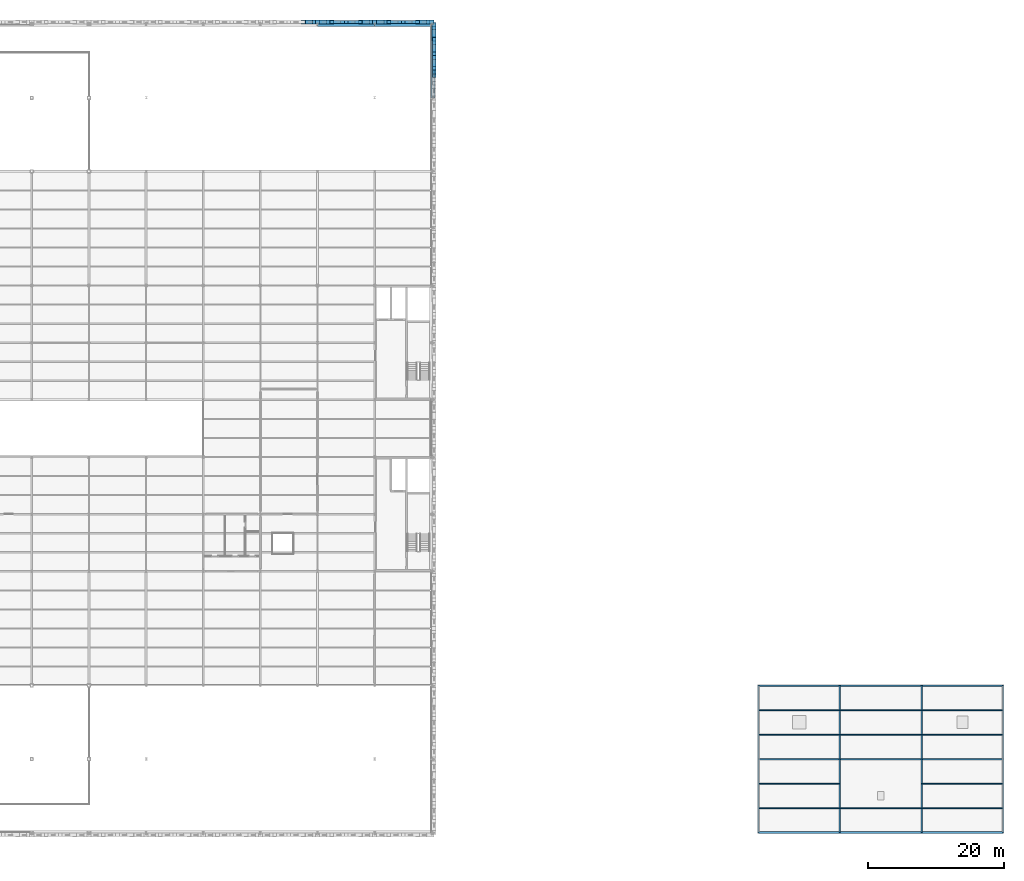
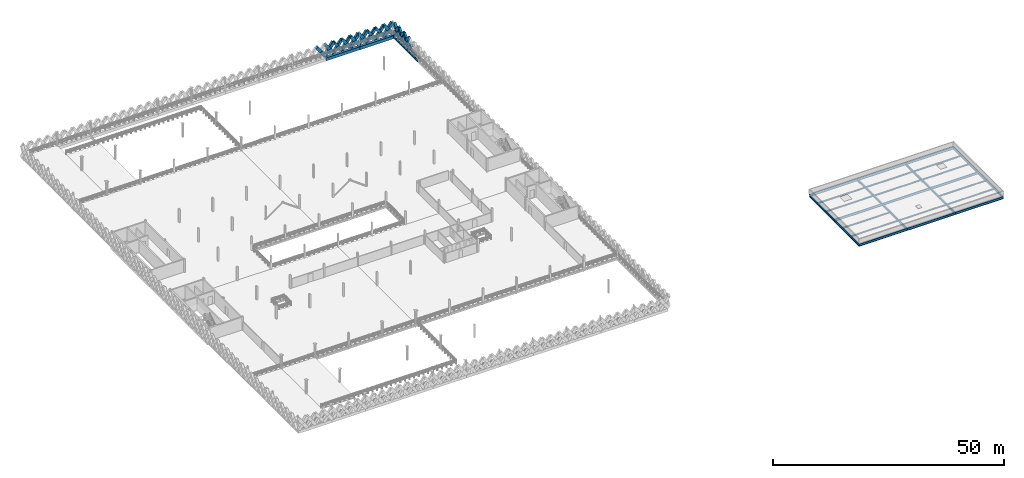
# One storey, part 27 of 47: 37 members, 31 beams.
"""IFC4 building model written with IfcOpenShell, lengths in metres."""

from ifc_helpers import new_model, si_unit, direction, frame, origin, origin_2d, place, context, subcontext, project, spatial, rectangle, hollow_rectangle, i_section, extrude, material, material_profile, profile_set, type_object, element, save


model = new_model("IFC4")

# Units and contexts
model_context = context("Model", 3, precision=1e-05, world=origin(), true_north=direction((0.0, 1.0)))
body_context = subcontext(model_context, "Body", "Model", "MODEL_VIEW")
ifc_project = project(units=[si_unit("LENGTHUNIT", "METRE"), si_unit("AREAUNIT", "SQUARE_METRE"), si_unit("VOLUMEUNIT", "CUBIC_METRE"), si_unit("PLANEANGLEUNIT", "RADIAN"), si_unit("MASSUNIT", "GRAM", prefix="KILO"), si_unit("THERMODYNAMICTEMPERATUREUNIT", "KELVIN"), si_unit("POWERUNIT", "WATT")], contexts=[model_context])

# Site, building, storey
site_placement = place(None, origin())
site = spatial("IfcSite", under=ifc_project, at=site_placement, CompositionType="ELEMENT")
building_placement = place(site_placement, origin())
building = spatial("IfcBuilding", under=site, at=building_placement, Name="Tembeka Court Mobility Hub", CompositionType="ELEMENT")
storey_placement = place(building_placement, frame((0.0, 0.0, 19.800048828125)))
storey = spatial("IfcBuildingStorey", under=building, at=storey_placement, Name="L05", CompositionType="ELEMENT", Elevation=19.800048828125)

# Beams
ifc_material_1 = material(Name="Steel S355", Category="steel")
ifc_material_profile_1 = material_profile(ifc_material_1, i_section(OverallWidth=0.22900390625, OverallDepth=0.612060546875, WebThickness=0.011962890625, FlangeThickness=0.01953125, FilletRadius=0.0126953125, at=origin_2d()), Name="UKB 610x229x125")
ifc_profile_set_1 = profile_set([ifc_material_profile_1], Name="Steel S355")
beam_type_1 = type_object("IfcBeamType", Name="BM-G02", PredefinedType="USERDEFINED", material=ifc_profile_set_1)
for number, where, z_axis, x_axis, name in (
    (1, (140.39990234375, 0.0, -0.5361328125), (1.0, 0.0, 0.0), (0.0, 1.0, 0.0), "Beam G02 (BM-L05-X2669)"),
    (2, (152.39990234375, 0.0, -0.5361328125), (1.0, 0.0, 0.0), (0.0, 1.0, 0.0), "Beam G02 (BM-L05-X2670)"),
    (3, (164.39990234375, 0.0, -0.5361328125), (1.0, 0.0, 0.0), (0.0, 1.0, 0.0), "Beam G02 (BM-L05-X2671)"),
    (4, (140.39990234375, 10.800048828125, -0.5361328125), (1.0, 0.0, 0.0), (0.0, 1.0, 0.0), "Beam G02 (BM-L05-X2674)"),
    (5, (152.39990234375, 10.800048828125, -0.5361328125), (1.0, 0.0, 0.0), (0.0, 1.0, 0.0), "Beam G02 (BM-L05-X2675)"),
    (6, (164.39990234375, 10.800048828125, -0.5361328125), (1.0, 0.0, 0.0), (0.0, 1.0, 0.0), "Beam G02 (BM-L05-X2676)"),
    (7, (140.39990234375, 21.60009765625, -0.5361328125), (1.0, 0.0, 0.0), (0.0, 1.0, 0.0), "Beam G02 (BM-L05-X2688)"),
    (8, (152.39990234375, 21.60009765625, -0.5361328125), (1.0, 0.0, 0.0), (0.0, 1.0, 0.0), "Beam G02 (BM-L05-X2689)"),
    (9, (164.39990234375, 21.60009765625, -0.5361328125), (1.0, 0.0, 0.0), (0.0, 1.0, 0.0), "Beam G02 (BM-L05-X2690)"),
):
    element("IfcBeam", number, at=place(storey_placement, frame(where, z_axis=z_axis, x_axis=x_axis)), inside=storey, type_object=beam_type_1, Name=name, ObjectType="GIRDER", PredefinedType="USERDEFINED", context=body_context, shape_type="SweptSolid", body=[
        extrude(i_section(OverallWidth=0.22900390625, OverallDepth=0.612060546875, WebThickness=0.011962890625, FlangeThickness=0.01953125, FilletRadius=0.0126953125, at=origin_2d()), origin(), (0.0, 0.0, 1.0), 12.0),
    ])
for number, where, z_axis, x_axis, name in (
    (10, (92.39990234375, 108.0, -0.526123046875), (0.0, 1.0, 0.0), (-1.0, 0.0, 0.0), "Beam G02 (BM-L05-Y2872)"),
    (11, (140.39990234375, 0.0, -0.5361328125), (0.0, 1.0, 0.0), (-1.0, 0.0, 0.0), "Beam G02 (BM-L05-Y2873)"),
    (12, (140.39990234375, 10.800048828125, -0.5361328125), (0.0, 1.0, 0.0), (-1.0, 0.0, 0.0), "Beam G02 (BM-L05-Y2874)"),
    (13, (152.39990234375, 0.0, -0.5361328125), (0.0, 1.0, 0.0), (-1.0, 0.0, 0.0), "Beam G02 (BM-L05-Y2875)"),
    (14, (152.39990234375, 10.800048828125, -0.5361328125), (0.0, 1.0, 0.0), (-1.0, 0.0, 0.0), "Beam G02 (BM-L05-Y2876)"),
    (15, (164.39990234375, 0.0, -0.5361328125), (0.0, 1.0, 0.0), (-1.0, 0.0, 0.0), "Beam G02 (BM-L05-Y2877)"),
    (16, (164.39990234375, 10.800048828125, -0.5361328125), (0.0, 1.0, 0.0), (-1.0, 0.0, 0.0), "Beam G02 (BM-L05-Y2878)"),
    (17, (176.39990234375, 0.0, -0.5361328125), (0.0, 1.0, 0.0), (-1.0, 0.0, 0.0), "Beam G02 (BM-L05-Y2879)"),
    (18, (176.39990234375, 10.800048828125, -0.5361328125), (0.0, 1.0, 0.0), (-1.0, 0.0, 0.0), "Beam G02 (BM-L05-Y2880)"),
):
    element("IfcBeam", number, at=place(storey_placement, frame(where, z_axis=z_axis, x_axis=x_axis)), inside=storey, type_object=beam_type_1, Name=name, ObjectType="GIRDER", PredefinedType="USERDEFINED", context=body_context, shape_type="SweptSolid", body=[
        extrude(i_section(OverallWidth=0.22900390625, OverallDepth=0.612060546875, WebThickness=0.011962890625, FlangeThickness=0.01953125, FilletRadius=0.0126953125, at=origin_2d()), origin(), (0.0, 0.0, 1.0), 10.800048828125),
    ])
ifc_material_profile_2 = material_profile(ifc_material_1, i_section(OverallWidth=0.14990234375, OverallDepth=0.300048828125, WebThickness=0.007080078125, FlangeThickness=0.0107421875, FilletRadius=0.014892578125, at=origin_2d()), Name="IPE 300")
ifc_profile_set_2 = profile_set([ifc_material_profile_2], Name="Steel S355")
beam_type_2 = type_object("IfcBeamType", Name="BM-J04", PredefinedType="JOIST", material=ifc_profile_set_2)
for number, where, z_axis, x_axis, name in (
    (19, (140.509521484375, 3.60009765625, -0.380126953125), (1.0, 0.0, 0.0), (0.0, 1.0, 0.0), "Beam J04 (JST-L05-3077)"),
    (20, (140.509521484375, 7.199951171875, -0.380126953125), (1.0, 0.0, 0.0), (0.0, 1.0, 0.0), "Beam J04 (JST-L05-3078)"),
    (21, (140.509521484375, 14.39990234375, -0.380126953125), (1.0, 0.0, 0.0), (0.0, 1.0, 0.0), "Beam J04 (JST-L05-3079)"),
    (22, (140.509521484375, 18.0, -0.380126953125), (1.0, 0.0, 0.0), (0.0, 1.0, 0.0), "Beam J04 (JST-L05-3080)"),
    (23, (152.509521484375, 3.60009765625, -0.380126953125), (1.0, 0.0, 0.0), (0.0, 1.0, 0.0), "Beam J04 (JST-L05-3081)"),
    (24, (152.509521484375, 14.39990234375, -0.380126953125), (1.0, 0.0, 0.0), (0.0, 1.0, 0.0), "Beam J04 (JST-L05-3082)"),
    (25, (152.509521484375, 18.0, -0.380126953125), (1.0, 0.0, 0.0), (0.0, 1.0, 0.0), "Beam J04 (JST-L05-3083)"),
    (26, (164.509521484375, 3.60009765625, -0.380126953125), (1.0, 0.0, 0.0), (0.0, 1.0, 0.0), "Beam J04 (JST-L05-3084)"),
    (27, (164.509521484375, 7.199951171875, -0.380126953125), (1.0, 0.0, 0.0), (0.0, 1.0, 0.0), "Beam J04 (JST-L05-3085)"),
    (28, (164.509521484375, 14.39990234375, -0.380126953125), (1.0, 0.0, 0.0), (0.0, 1.0, 0.0), "Beam J04 (JST-L05-3086)"),
    (29, (164.509521484375, 18.0, -0.380126953125), (1.0, 0.0, 0.0), (0.0, 1.0, 0.0), "Beam J04 (JST-L05-3087)"),
):
    element("IfcBeam", number, at=place(storey_placement, frame(where, z_axis=z_axis, x_axis=x_axis)), inside=storey, type_object=beam_type_2, Name=name, PredefinedType="JOIST", context=body_context, shape_type="SweptSolid", body=[
        extrude(i_section(OverallWidth=0.14990234375, OverallDepth=0.300048828125, WebThickness=0.007080078125, FlangeThickness=0.0107421875, FilletRadius=0.014892578125, at=origin_2d()), origin(), (0.0, 0.0, 1.0), 11.781005859375),
    ])
ifc_material_2 = material(Name="Precast concrete C45/55", Category="concrete")
ifc_material_profile_3 = material_profile(ifc_material_2, rectangle(XDim=0.64990234375, YDim=0.800048828125, at=origin_2d()), Name="PC-SP 650x800")
ifc_profile_set_3 = profile_set([ifc_material_profile_3], Name="Precast concrete C45/55")
beam_type_3 = type_object("IfcBeamType", Name="BM-SP01", PredefinedType="SPANDREL", material=ifc_profile_set_3)
for number, where, z_axis, x_axis, name in (
    (30, (75.60009765625, 118.800048828125, -0.6201171875), (1.0, 0.0, 0.0), (0.0, 1.0, 0.0), "Beam SP01 (BM-L05-X2774)"),
    (31, (84.0, 118.800048828125, -0.6201171875), (1.0, 0.0, 0.0), (0.0, 1.0, 0.0), "Beam SP01 (BM-L05-X2775)"),
):
    element("IfcBeam", number, at=place(storey_placement, frame(where, z_axis=z_axis, x_axis=x_axis)), inside=storey, type_object=beam_type_3, Name=name, PredefinedType="SPANDREL", context=body_context, shape_type="SweptSolid", body=[
        extrude(rectangle(XDim=0.64990234375, YDim=0.800048828125, at=origin_2d()), origin(), (0.0, 0.0, 1.0), 8.39990234375),
    ])

# Members
ifc_material_profile_4 = material_profile(ifc_material_2, rectangle(XDim=0.5, YDim=0.64990234375, at=origin_2d()), Name="PC-DIAG 500x650")
ifc_profile_set_4 = profile_set([ifc_material_profile_4], Name="Precast concrete C45/55")
member_type_1 = type_object("IfcMemberType", Name="MEM-DL01", PredefinedType="BRACE", material=ifc_profile_set_4)
member_1_placement = place(storey_placement, frame((77.699951171875, 119.139892578125, 0.02001953125), z_axis=(0.582576362011, 0.0, 0.812775973086), x_axis=(0.0, 1.0, 0.0)))
element("IfcMember", 32, at=member_1_placement, inside=storey, type_object=member_type_1, Name="Precast diamond lattice continuous strand DL01 (L05-870A)", PredefinedType="BRACE", context=body_context, shape_type="SweptSolid", body=[
    extrude(rectangle(XDim=0.5, YDim=0.64990234375, at=origin_2d()), origin(), (0.0, 0.0, 1.0), 3.604736328125),
])
member_2_placement = place(storey_placement, frame((79.800048828125, 119.139892578125, 0.02001953125), z_axis=(-0.582608431711, 0.0, 0.812752985414), x_axis=(0.0, -1.0, 0.0)))
element("IfcMember", 33, at=member_2_placement, inside=storey, type_object=member_type_1, Name="Precast diamond lattice split lower strand DL01 (L05-870B1)", PredefinedType="BRACE", context=body_context, shape_type="SweptSolid", body=[
    extrude(rectangle(XDim=0.5, YDim=0.64990234375, at=origin_2d()), origin(), (0.0, 0.0, 1.0), 1.80224609375),
])
member_3_placement = place(storey_placement, frame((78.75, 119.139892578125, 1.48486328125), z_axis=(-0.582544294934, 0.0, 0.812798956963), x_axis=(0.0, -1.0, 0.0)))
element("IfcMember", 34, at=member_3_placement, inside=storey, type_object=member_type_1, Name="Precast diamond lattice split upper strand DL01 (L05-870B2)", PredefinedType="BRACE", context=body_context, shape_type="SweptSolid", body=[
    extrude(rectangle(XDim=0.5, YDim=0.64990234375, at=origin_2d()), origin(), (0.0, 0.0, 1.0), 1.802490234375),
])
member_4_placement = place(storey_placement, frame((79.800048828125, 119.139892578125, 0.02001953125), z_axis=(0.58253161945, 0.0, 0.812808041509), x_axis=(0.0, 1.0, 0.0)))
element("IfcMember", 35, at=member_4_placement, inside=storey, type_object=member_type_1, Name="Precast diamond lattice continuous strand DL01 (L05-871A)", PredefinedType="BRACE", context=body_context, shape_type="SweptSolid", body=[
    extrude(rectangle(XDim=0.5, YDim=0.64990234375, at=origin_2d()), origin(), (0.0, 0.0, 1.0), 3.604736328125),
])
member_5_placement = place(storey_placement, frame((81.89990234375, 119.139892578125, 0.02001953125), z_axis=(-0.582518941428, 0.0, 0.812817127574), x_axis=(0.0, -1.0, 0.0)))
element("IfcMember", 36, at=member_5_placement, inside=storey, type_object=member_type_1, Name="Precast diamond lattice split lower strand DL01 (L05-871B1)", PredefinedType="BRACE", context=body_context, shape_type="SweptSolid", body=[
    extrude(rectangle(XDim=0.5, YDim=0.64990234375, at=origin_2d()), origin(), (0.0, 0.0, 1.0), 1.80224609375),
])
member_6_placement = place(storey_placement, frame((80.85009765625, 119.139892578125, 1.48486328125), z_axis=(-0.582544294934, 0.0, 0.812798956963), x_axis=(0.0, -1.0, 0.0)))
element("IfcMember", 37, at=member_6_placement, inside=storey, type_object=member_type_1, Name="Precast diamond lattice split upper strand DL01 (L05-871B2)", PredefinedType="BRACE", context=body_context, shape_type="SweptSolid", body=[
    extrude(rectangle(XDim=0.5, YDim=0.64990234375, at=origin_2d()), origin(), (0.0, 0.0, 1.0), 1.802490234375),
])
member_7_placement = place(storey_placement, frame((86.10009765625, 119.139892578125, 0.02001953125), z_axis=(0.58253161945, 0.0, 0.812808041509), x_axis=(0.0, 1.0, 0.0)))
element("IfcMember", 38, at=member_7_placement, inside=storey, type_object=member_type_1, Name="Precast diamond lattice continuous strand DL01 (L05-874A)", PredefinedType="BRACE", context=body_context, shape_type="SweptSolid", body=[
    extrude(rectangle(XDim=0.5, YDim=0.64990234375, at=origin_2d()), origin(), (0.0, 0.0, 1.0), 3.604736328125),
])
member_8_placement = place(storey_placement, frame((88.199951171875, 119.139892578125, 0.02001953125), z_axis=(-0.582608431711, 0.0, 0.812752985414), x_axis=(0.0, -1.0, 0.0)))
element("IfcMember", 39, at=member_8_placement, inside=storey, type_object=member_type_1, Name="Precast diamond lattice split lower strand DL01 (L05-874B1)", PredefinedType="BRACE", context=body_context, shape_type="SweptSolid", body=[
    extrude(rectangle(XDim=0.5, YDim=0.64990234375, at=origin_2d()), origin(), (0.0, 0.0, 1.0), 1.80224609375),
])
member_9_placement = place(storey_placement, frame((87.14990234375, 119.139892578125, 1.48486328125), z_axis=(-0.582454804382, 0.0, 0.812863088627), x_axis=(0.0, -1.0, 0.0)))
element("IfcMember", 40, at=member_9_placement, inside=storey, type_object=member_type_1, Name="Precast diamond lattice split upper strand DL01 (L05-874B2)", PredefinedType="BRACE", context=body_context, shape_type="SweptSolid", body=[
    extrude(rectangle(XDim=0.5, YDim=0.64990234375, at=origin_2d()), origin(), (0.0, 0.0, 1.0), 1.802490234375),
])
member_10_placement = place(storey_placement, frame((88.199951171875, 119.139892578125, 0.02001953125), z_axis=(0.582576362011, 0.0, 0.812775973086), x_axis=(0.0, 1.0, 0.0)))
element("IfcMember", 41, at=member_10_placement, inside=storey, type_object=member_type_1, Name="Precast diamond lattice continuous strand DL01 (L05-875A)", PredefinedType="BRACE", context=body_context, shape_type="SweptSolid", body=[
    extrude(rectangle(XDim=0.5, YDim=0.64990234375, at=origin_2d()), origin(), (0.0, 0.0, 1.0), 3.604736328125),
])
member_11_placement = place(storey_placement, frame((90.300048828125, 119.139892578125, 0.02001953125), z_axis=(-0.582608431711, 0.0, 0.812752985414), x_axis=(0.0, -1.0, 0.0)))
element("IfcMember", 42, at=member_11_placement, inside=storey, type_object=member_type_1, Name="Precast diamond lattice split lower strand DL01 (L05-875B1)", PredefinedType="BRACE", context=body_context, shape_type="SweptSolid", body=[
    extrude(rectangle(XDim=0.5, YDim=0.64990234375, at=origin_2d()), origin(), (0.0, 0.0, 1.0), 1.80224609375),
])
member_12_placement = place(storey_placement, frame((89.25, 119.139892578125, 1.48486328125), z_axis=(-0.582544294934, 0.0, 0.812798956963), x_axis=(0.0, -1.0, 0.0)))
element("IfcMember", 43, at=member_12_placement, inside=storey, type_object=member_type_1, Name="Precast diamond lattice split upper strand DL01 (L05-875B2)", PredefinedType="BRACE", context=body_context, shape_type="SweptSolid", body=[
    extrude(rectangle(XDim=0.5, YDim=0.64990234375, at=origin_2d()), origin(), (0.0, 0.0, 1.0), 1.802490234375),
])
member_13_placement = place(storey_placement, frame((92.739990234375, 112.320068359375, 0.02001953125), z_axis=(0.0, -0.593455255298, 0.804866982773), x_axis=(1.0, 0.0, 0.0)))
element("IfcMember", 44, at=member_13_placement, inside=storey, type_object=member_type_1, Name="Precast diamond lattice split lower strand DL01 (L05-985D1)", PredefinedType="BRACE", context=body_context, shape_type="SweptSolid", body=[
    extrude(rectangle(XDim=0.5, YDim=0.64990234375, at=origin_2d()), origin(), (0.0, 0.0, 1.0), 1.820068359375),
])
member_14_placement = place(storey_placement, frame((92.739990234375, 112.320068359375, 0.02001953125), z_axis=(0.0, 0.593379766398, 0.804922637792), x_axis=(-1.0, 0.0, 0.0)))
element("IfcMember", 45, at=member_14_placement, inside=storey, type_object=member_type_1, Name="Precast diamond lattice continuous strand DL01 (L05-986C)", PredefinedType="BRACE", context=body_context, shape_type="SweptSolid", body=[
    extrude(rectangle(XDim=0.5, YDim=0.64990234375, at=origin_2d()), origin(), (0.0, 0.0, 1.0), 3.64013671875),
])
for number, where, z_axis, x_axis, name in (
    (46, (92.739990234375, 114.47998046875, 0.02001953125), (0.0, -0.593455255298, 0.804866982773), (1.0, 0.0, 0.0), "Precast diamond lattice split lower strand DL01 (L05-986D1)"),
    (47, (92.739990234375, 113.39990234375, 1.48486328125), (0.0, -0.593304274421, 0.804978284151), (1.0, 0.0, 0.0), "Precast diamond lattice split upper strand DL01 (L05-986D2)"),
):
    element("IfcMember", number, at=place(storey_placement, frame(where, z_axis=z_axis, x_axis=x_axis)), inside=storey, type_object=member_type_1, Name=name, PredefinedType="BRACE", context=body_context, shape_type="SweptSolid", body=[
        extrude(rectangle(XDim=0.5, YDim=0.64990234375, at=origin_2d()), origin(), (0.0, 0.0, 1.0), 1.820068359375),
    ])
member_15_placement = place(storey_placement, frame((92.739990234375, 114.47998046875, 0.02001953125), z_axis=(0.0, 0.593379766398, 0.804922637792), x_axis=(-1.0, 0.0, 0.0)))
element("IfcMember", 48, at=member_15_placement, inside=storey, type_object=member_type_1, Name="Precast diamond lattice continuous strand DL01 (L05-987C)", PredefinedType="BRACE", context=body_context, shape_type="SweptSolid", body=[
    extrude(rectangle(XDim=0.5, YDim=0.64990234375, at=origin_2d()), origin(), (0.0, 0.0, 1.0), 3.64013671875),
])
member_16_placement = place(storey_placement, frame((92.739990234375, 116.639892578125, 0.02001953125), z_axis=(0.0, -0.593368344659, 0.804931057642), x_axis=(1.0, 0.0, 0.0)))
element("IfcMember", 49, at=member_16_placement, inside=storey, type_object=member_type_1, Name="Precast diamond lattice split lower strand DL01 (L05-987D1)", PredefinedType="BRACE", context=body_context, shape_type="SweptSolid", body=[
    extrude(rectangle(XDim=0.5, YDim=0.64990234375, at=origin_2d()), origin(), (0.0, 0.0, 1.0), 1.81982421875),
])
member_17_placement = place(storey_placement, frame((92.739990234375, 115.56005859375, 1.48486328125), z_axis=(0.0, -0.593391185876, 0.804914219358), x_axis=(1.0, 0.0, 0.0)))
element("IfcMember", 50, at=member_17_placement, inside=storey, type_object=member_type_1, Name="Precast diamond lattice split upper strand DL01 (L05-987D2)", PredefinedType="BRACE", context=body_context, shape_type="SweptSolid", body=[
    extrude(rectangle(XDim=0.5, YDim=0.64990234375, at=origin_2d()), origin(), (0.0, 0.0, 1.0), 1.820068359375),
])
ifc_material_profile_5 = material_profile(ifc_material_2, rectangle(XDim=0.60009765625, YDim=0.75, at=origin_2d()), Name="PC-DIAG 600x750")
ifc_profile_set_5 = profile_set([ifc_material_profile_5], Name="Precast concrete C45/55")
member_type_2 = type_object("IfcMemberType", Name="MEM-DL02", PredefinedType="BRACE", material=ifc_profile_set_5)
member_18_placement = place(storey_placement, frame((75.60009765625, 119.139892578125, 0.02001953125), z_axis=(-0.582608431711, 0.0, 0.812752985414), x_axis=(0.0, -1.0, 0.0)))
element("IfcMember", 51, at=member_18_placement, inside=storey, type_object=member_type_2, Name="Precast diamond lattice split lower strand DL02 (L05-868B1)", PredefinedType="BRACE", context=body_context, shape_type="SweptSolid", body=[
    extrude(rectangle(XDim=0.60009765625, YDim=0.75, at=origin_2d()), origin(), (0.0, 0.0, 1.0), 1.80224609375),
])
member_19_placement = place(storey_placement, frame((74.550048828125, 119.139892578125, 1.48486328125), z_axis=(-0.582544294934, 0.0, 0.812798956963), x_axis=(0.0, -1.0, 0.0)))
element("IfcMember", 52, at=member_19_placement, inside=storey, type_object=member_type_2, Name="Precast diamond lattice split upper strand DL02 (L05-868B2)", PredefinedType="BRACE", context=body_context, shape_type="SweptSolid", body=[
    extrude(rectangle(XDim=0.60009765625, YDim=0.75, at=origin_2d()), origin(), (0.0, 0.0, 1.0), 1.802490234375),
])
member_20_placement = place(storey_placement, frame((75.60009765625, 119.139892578125, 0.02001953125), z_axis=(0.58253161945, 0.0, 0.812808041509), x_axis=(0.0, 1.0, 0.0)))
element("IfcMember", 53, at=member_20_placement, inside=storey, type_object=member_type_2, Name="Precast diamond lattice continuous strand DL02 (L05-869A)", PredefinedType="BRACE", context=body_context, shape_type="SweptSolid", body=[
    extrude(rectangle(XDim=0.60009765625, YDim=0.75, at=origin_2d()), origin(), (0.0, 0.0, 1.0), 3.604736328125),
])
member_21_placement = place(storey_placement, frame((77.699951171875, 119.139892578125, 0.02001953125), z_axis=(-0.582608431711, 0.0, 0.812752985414), x_axis=(0.0, -1.0, 0.0)))
element("IfcMember", 54, at=member_21_placement, inside=storey, type_object=member_type_2, Name="Precast diamond lattice split lower strand DL02 (L05-869B1)", PredefinedType="BRACE", context=body_context, shape_type="SweptSolid", body=[
    extrude(rectangle(XDim=0.60009765625, YDim=0.75, at=origin_2d()), origin(), (0.0, 0.0, 1.0), 1.80224609375),
])
member_22_placement = place(storey_placement, frame((76.64990234375, 119.139892578125, 1.48486328125), z_axis=(-0.582454804382, 0.0, 0.812863088627), x_axis=(0.0, -1.0, 0.0)))
element("IfcMember", 55, at=member_22_placement, inside=storey, type_object=member_type_2, Name="Precast diamond lattice split upper strand DL02 (L05-869B2)", PredefinedType="BRACE", context=body_context, shape_type="SweptSolid", body=[
    extrude(rectangle(XDim=0.60009765625, YDim=0.75, at=origin_2d()), origin(), (0.0, 0.0, 1.0), 1.802490234375),
])
member_23_placement = place(storey_placement, frame((81.89990234375, 119.139892578125, 0.02001953125), z_axis=(0.582576362011, 0.0, 0.812775973086), x_axis=(0.0, 1.0, 0.0)))
element("IfcMember", 56, at=member_23_placement, inside=storey, type_object=member_type_2, Name="Precast diamond lattice continuous strand DL02 (L05-872A)", PredefinedType="BRACE", context=body_context, shape_type="SweptSolid", body=[
    extrude(rectangle(XDim=0.60009765625, YDim=0.75, at=origin_2d()), origin(), (0.0, 0.0, 1.0), 3.604736328125),
])
member_24_placement = place(storey_placement, frame((84.0, 119.139892578125, 0.02001953125), z_axis=(-0.582608431711, 0.0, 0.812752985414), x_axis=(0.0, -1.0, 0.0)))
element("IfcMember", 57, at=member_24_placement, inside=storey, type_object=member_type_2, Name="Precast diamond lattice split lower strand DL02 (L05-872B1)", PredefinedType="BRACE", context=body_context, shape_type="SweptSolid", body=[
    extrude(rectangle(XDim=0.60009765625, YDim=0.75, at=origin_2d()), origin(), (0.0, 0.0, 1.0), 1.80224609375),
])
member_25_placement = place(storey_placement, frame((82.949951171875, 119.139892578125, 1.48486328125), z_axis=(-0.582544294934, 0.0, 0.812798956963), x_axis=(0.0, -1.0, 0.0)))
element("IfcMember", 58, at=member_25_placement, inside=storey, type_object=member_type_2, Name="Precast diamond lattice split upper strand DL02 (L05-872B2)", PredefinedType="BRACE", context=body_context, shape_type="SweptSolid", body=[
    extrude(rectangle(XDim=0.60009765625, YDim=0.75, at=origin_2d()), origin(), (0.0, 0.0, 1.0), 1.802490234375),
])
member_26_placement = place(storey_placement, frame((84.0, 119.139892578125, 0.02001953125), z_axis=(0.582576362011, 0.0, 0.812775973086), x_axis=(0.0, 1.0, 0.0)))
element("IfcMember", 59, at=member_26_placement, inside=storey, type_object=member_type_2, Name="Precast diamond lattice continuous strand DL02 (L05-873A)", PredefinedType="BRACE", context=body_context, shape_type="SweptSolid", body=[
    extrude(rectangle(XDim=0.60009765625, YDim=0.75, at=origin_2d()), origin(), (0.0, 0.0, 1.0), 3.604736328125),
])
member_27_placement = place(storey_placement, frame((86.10009765625, 119.139892578125, 0.02001953125), z_axis=(-0.582608431711, 0.0, 0.812752985414), x_axis=(0.0, -1.0, 0.0)))
element("IfcMember", 60, at=member_27_placement, inside=storey, type_object=member_type_2, Name="Precast diamond lattice split lower strand DL02 (L05-873B1)", PredefinedType="BRACE", context=body_context, shape_type="SweptSolid", body=[
    extrude(rectangle(XDim=0.60009765625, YDim=0.75, at=origin_2d()), origin(), (0.0, 0.0, 1.0), 1.80224609375),
])
member_28_placement = place(storey_placement, frame((85.050048828125, 119.139892578125, 1.48486328125), z_axis=(-0.582544294934, 0.0, 0.812798956963), x_axis=(0.0, -1.0, 0.0)))
element("IfcMember", 61, at=member_28_placement, inside=storey, type_object=member_type_2, Name="Precast diamond lattice split upper strand DL02 (L05-873B2)", PredefinedType="BRACE", context=body_context, shape_type="SweptSolid", body=[
    extrude(rectangle(XDim=0.60009765625, YDim=0.75, at=origin_2d()), origin(), (0.0, 0.0, 1.0), 1.802490234375),
])
member_29_placement = place(storey_placement, frame((90.300048828125, 119.139892578125, 0.02001953125), z_axis=(0.58253161945, 0.0, 0.812808041509), x_axis=(0.0, 1.0, 0.0)))
element("IfcMember", 62, at=member_29_placement, inside=storey, type_object=member_type_2, Name="Precast diamond lattice continuous strand DL02 (L05-876A)", PredefinedType="BRACE", context=body_context, shape_type="SweptSolid", body=[
    extrude(rectangle(XDim=0.60009765625, YDim=0.75, at=origin_2d()), origin(), (0.0, 0.0, 1.0), 3.604736328125),
])
member_30_placement = place(storey_placement, frame((92.39990234375, 119.139892578125, 0.02001953125), z_axis=(-0.582518941428, 0.0, 0.812817127574), x_axis=(0.0, -1.0, 0.0)))
element("IfcMember", 63, at=member_30_placement, inside=storey, type_object=member_type_2, Name="Precast diamond lattice split lower strand DL02 (L05-876B1)", PredefinedType="BRACE", context=body_context, shape_type="SweptSolid", body=[
    extrude(rectangle(XDim=0.60009765625, YDim=0.75, at=origin_2d()), origin(), (0.0, 0.0, 1.0), 1.80224609375),
])
member_31_placement = place(storey_placement, frame((91.35009765625, 119.139892578125, 1.48486328125), z_axis=(-0.582544294934, 0.0, 0.812798956963), x_axis=(0.0, -1.0, 0.0)))
element("IfcMember", 64, at=member_31_placement, inside=storey, type_object=member_type_2, Name="Precast diamond lattice split upper strand DL02 (L05-876B2)", PredefinedType="BRACE", context=body_context, shape_type="SweptSolid", body=[
    extrude(rectangle(XDim=0.60009765625, YDim=0.75, at=origin_2d()), origin(), (0.0, 0.0, 1.0), 1.802490234375),
])
member_32_placement = place(storey_placement, frame((92.739990234375, 116.639892578125, 0.02001953125), z_axis=(0.0, 0.593423219328, 0.804890602978), x_axis=(-1.0, 0.0, 0.0)))
element("IfcMember", 65, at=member_32_placement, inside=storey, type_object=member_type_2, Name="Precast diamond lattice continuous strand DL02 (L05-988C)", PredefinedType="BRACE", context=body_context, shape_type="SweptSolid", body=[
    extrude(rectangle(XDim=0.60009765625, YDim=0.75, at=origin_2d()), origin(), (0.0, 0.0, 1.0), 3.64013671875),
])
for number, where, z_axis, x_axis, name in (
    (66, (92.739990234375, 118.800048828125, 0.02001953125), (0.0, -0.593455255298, 0.804866982773), (1.0, 0.0, 0.0), "Precast diamond lattice split lower strand DL02 (L05-988D1)"),
    (67, (92.739990234375, 117.719970703125, 1.48486328125), (0.0, -0.593391185876, 0.804914219358), (1.0, 0.0, 0.0), "Precast diamond lattice split upper strand DL02 (L05-988D2)"),
):
    element("IfcMember", number, at=place(storey_placement, frame(where, z_axis=z_axis, x_axis=x_axis)), inside=storey, type_object=member_type_2, Name=name, PredefinedType="BRACE", context=body_context, shape_type="SweptSolid", body=[
        extrude(rectangle(XDim=0.60009765625, YDim=0.75, at=origin_2d()), origin(), (0.0, 0.0, 1.0), 1.820068359375),
    ])
ifc_material_profile_6 = material_profile(ifc_material_1, hollow_rectangle(XDim=0.14990234375, YDim=0.300048828125, WallThickness=0.010009765625, at=origin_2d()), Name="RHS 300x150x10")
ifc_profile_set_6 = profile_set([ifc_material_profile_6], Name="Steel S355")
member_type_3 = type_object("IfcMemberType", Name="MEM-ST03", PredefinedType="STRUT", material=ifc_profile_set_6)
member_33_placement = place(storey_placement, frame((92.739990234375, 108.0, 0.02001953125), z_axis=(0.0, 1.0, 0.0), x_axis=(-1.0, 0.0, 0.0)))
element("IfcMember", 68, at=member_33_placement, inside=storey, type_object=member_type_3, Name="Proud lattice sill tie chord SR03 (L05-E-108)", PredefinedType="STRUT", context=body_context, shape_type="SweptSolid", body=[
    extrude(hollow_rectangle(XDim=0.14990234375, YDim=0.300048828125, WallThickness=0.010009765625, at=origin_2d()), origin(), (0.0, 0.0, 1.0), 10.800048828125),
])

save(model, "model.ifc")
